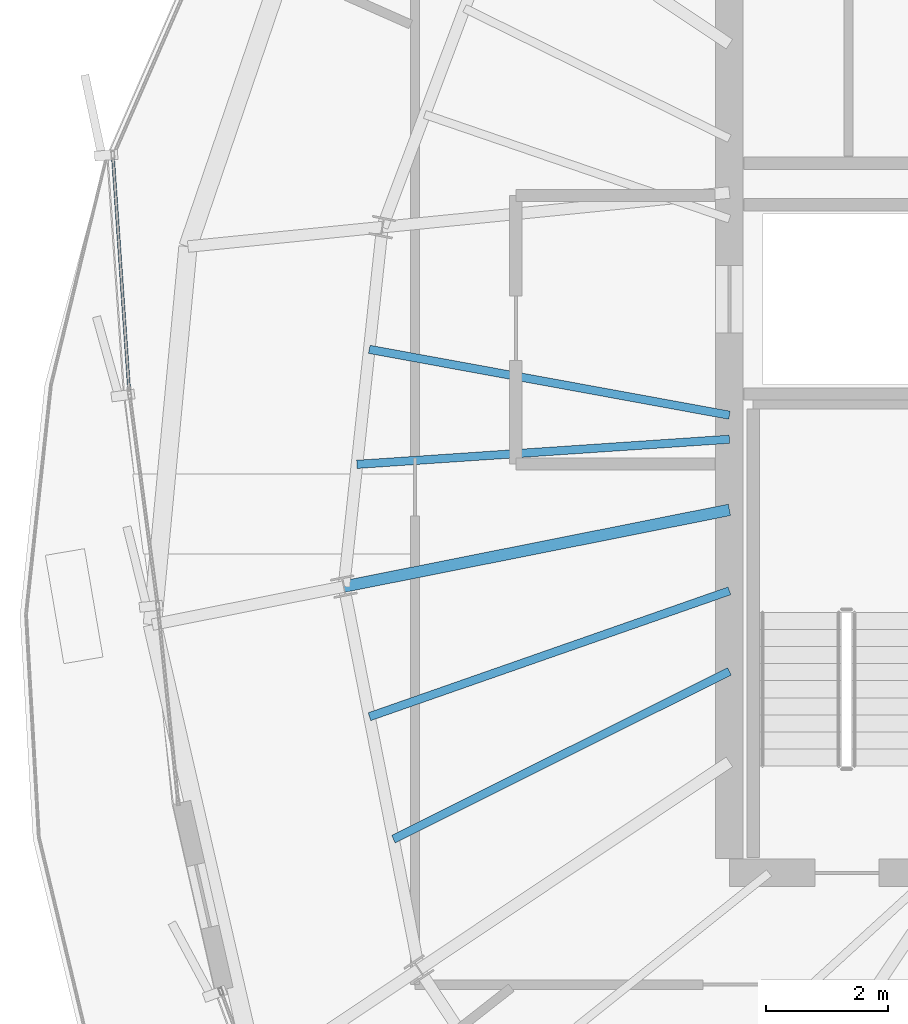
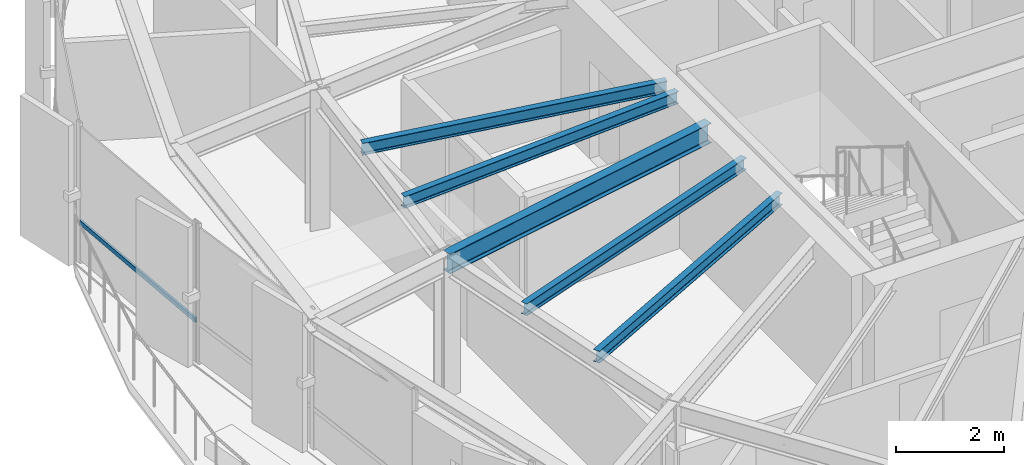
# One storey, part 10 of 32: 5 beams, 1 member, 1 element without a shape of its own.
"""IFC4 building model written with IfcOpenShell, lengths in metres."""

from ifc_helpers import new_model, si_unit, direction, frame, origin, origin_2d, place, context, subcontext, project, spatial, hollow_rectangle, i_section, extrude, source, transform, mapped, material, layer, layer_set, material_profile, profile_set, type_object, element, aggregate, save


model = new_model("IFC4")

# Units and contexts
model_context = context("Model", 3, precision=1e-05, world=origin(), true_north=direction((0.0, 1.0)))
body_context = subcontext(model_context, "Body", "Model", "MODEL_VIEW")
ifc_project = project(units=[si_unit("LENGTHUNIT", "METRE"), si_unit("AREAUNIT", "SQUARE_METRE"), si_unit("VOLUMEUNIT", "CUBIC_METRE"), si_unit("PLANEANGLEUNIT", "RADIAN"), si_unit("MASSUNIT", "GRAM", prefix="KILO"), si_unit("THERMODYNAMICTEMPERATUREUNIT", "KELVIN")], contexts=[model_context])

# Site, building, storey
site_placement = place(None, origin())
site = spatial("IfcSite", under=ifc_project, at=site_placement, CompositionType="ELEMENT")
building_placement = place(site_placement, origin())
building = spatial("IfcBuilding", under=site, at=building_placement, Name="Kethvar Cultural Tower", CompositionType="ELEMENT")
storey_placement = place(building_placement, frame((0.0, 0.0, 252.550048828125)))
storey = spatial("IfcBuildingStorey", under=building, at=storey_placement, Name="L66", CompositionType="ELEMENT", Elevation=252.550048828125)

# Beams
ifc_material_1 = material(Name="Steel S355J2", Category="steel")
ifc_material_profile_1 = material_profile(ifc_material_1, i_section(OverallWidth=0.18994140625, OverallDepth=0.449951171875, WebThickness=0.009521484375, FlangeThickness=0.0146484375, FilletRadius=0.02099609375, at=origin_2d()), Name="Steel S355J2 — IPE450")
ifc_profile_set_1 = profile_set([ifc_material_profile_1], Name="Steel S355J2 — IPE450")
beam_type_1 = type_object("IfcBeamType", Name="BM-IPE450", PredefinedType="BEAM", material=ifc_profile_set_1)
shared_shape_1 = source(origin(), body_context, "Body", "SweptSolid", [
    extrude(i_section(OverallWidth=0.18994140625, OverallDepth=0.449951171875, WebThickness=0.009521484375, FlangeThickness=0.0146484375, FilletRadius=0.02099609375, at=origin_2d()), origin(), (0.0, 0.0, 1.0), 6.440673828125),
])
beam_1_placement = place(storey_placement, frame((38.0, 26.049560546875, 2.98291015625), z_axis=(-0.980782804096, -0.195102770839, 0.0), x_axis=(0.195102770839, -0.980782804096, 0.0)))
element("IfcBeam", 1, at=beam_1_placement, inside=storey, type_object=beam_type_1, Name="L66 Primary Radial Beam RB-09", PredefinedType="BEAM", context=body_context, shape_type="MappedRepresentation", body=[
    mapped(shared_shape_1, transform((0.0, 0.0, 0.0), scale=1.0)),
])
ifc_material_profile_2 = material_profile(ifc_material_1, i_section(OverallWidth=0.135009765625, OverallDepth=0.27001953125, WebThickness=0.006591796875, FlangeThickness=0.01025390625, FilletRadius=0.014892578125, at=origin_2d()), Name="Steel S355J2 — IPE270")
ifc_profile_set_2 = profile_set([ifc_material_profile_2], Name="Steel S355J2 — IPE270")
beam_type_2 = type_object("IfcBeamType", Name="BM-J270", PredefinedType="JOIST", material=ifc_profile_set_2)
shared_shape_2 = source(origin(), body_context, "Body", "SweptSolid", [
    extrude(i_section(OverallWidth=0.135009765625, OverallDepth=0.27001953125, WebThickness=0.006591796875, FlangeThickness=0.01025390625, FilletRadius=0.014892578125, at=origin_2d()), origin(), (0.0, 0.0, 1.0), 5.99951171875),
])
beam_2_placement = place(storey_placement, frame((38.0, 27.60009765625, 3.072998046875), z_axis=(-0.983676616141, 0.179945310742, 0.0), x_axis=(-0.179945310742, -0.983676616141, 0.0)))
element("IfcBeam", 2, at=beam_2_placement, inside=storey, type_object=beam_type_2, Name="L66 Composite Floor Joist J-08A", PredefinedType="JOIST", context=body_context, shape_type="MappedRepresentation", body=[
    mapped(shared_shape_2, transform((0.0, 0.0, 0.0), scale=1.0)),
])
shared_shape_3 = source(origin(), body_context, "Body", "SweptSolid", [
    extrude(i_section(OverallWidth=0.135009765625, OverallDepth=0.27001953125, WebThickness=0.006591796875, FlangeThickness=0.01025390625, FilletRadius=0.014892578125, at=origin_2d()), origin(), (0.0, 0.0, 1.0), 6.116943359375),
])
beam_3_placement = place(storey_placement, frame((38.0, 27.206787109375, 3.072998046875), z_axis=(-0.997733289627, -0.067292516454, 0.0), x_axis=(0.067292516454, -0.997733289627, 0.0)))
element("IfcBeam", 3, at=beam_3_placement, inside=storey, type_object=beam_type_2, Name="L66 Composite Floor Joist J-08B", PredefinedType="JOIST", context=body_context, shape_type="MappedRepresentation", body=[
    mapped(shared_shape_3, transform((0.0, 0.0, 0.0), scale=1.0)),
])
shared_shape_4 = source(origin(), body_context, "Body", "SweptSolid", [
    extrude(i_section(OverallWidth=0.135009765625, OverallDepth=0.27001953125, WebThickness=0.006591796875, FlangeThickness=0.01025390625, FilletRadius=0.014892578125, at=origin_2d()), origin(), (0.0, 0.0, 1.0), 6.248779296875),
])
beam_4_placement = place(storey_placement, frame((38.0, 24.722900390625, 3.072998046875), z_axis=(-0.943960031743, -0.330059780148, 0.0), x_axis=(0.330059780148, -0.943960031743, 0.0)))
element("IfcBeam", 4, at=beam_4_placement, inside=storey, type_object=beam_type_2, Name="L66 Composite Floor Joist J-09A", PredefinedType="JOIST", context=body_context, shape_type="MappedRepresentation", body=[
    mapped(shared_shape_4, transform((0.0, 0.0, 0.0), scale=1.0)),
])
shared_shape_5 = source(origin(), body_context, "Body", "SweptSolid", [
    extrude(i_section(OverallWidth=0.135009765625, OverallDepth=0.27001953125, WebThickness=0.006591796875, FlangeThickness=0.01025390625, FilletRadius=0.014892578125, at=origin_2d()), origin(), (0.0, 0.0, 1.0), 6.154052734375),
])
beam_5_placement = place(storey_placement, frame((38.0, 23.40380859375, 3.072998046875), z_axis=(-0.89458581954, -0.446896197655, 0.0), x_axis=(0.446896197655, -0.89458581954, 0.0)))
element("IfcBeam", 5, at=beam_5_placement, inside=storey, type_object=beam_type_2, Name="L66 Composite Floor Joist J-09B", PredefinedType="JOIST", context=body_context, shape_type="MappedRepresentation", body=[
    mapped(shared_shape_5, transform((0.0, 0.0, 0.0), scale=1.0)),
])

# Curtain wall, member
ifc_material_2 = material(Name="Aluminium 6063-T6", Category="aluminium")
ifc_layer = layer(ifc_material_2, 0.179931640625, Name="Aluminium 6063-T6", Category="aluminium")
ifc_layer_set = layer_set([ifc_layer], Name="Aluminium 6063-T6 (180 mm)")
curtain_wall_type = type_object("IfcCurtainWallType", Name="CW-SYS-05-Z56", PredefinedType="NOTDEFINED", material=ifc_layer_set)
curtain_wall_placement = place(storey_placement, origin())
curtain_wall = element("IfcCurtainWall", 6, at=curtain_wall_placement, inside=storey, type_object=curtain_wall_type, Name="L66 Curtain Wall Run 02", PredefinedType="NOTDEFINED")
ifc_material_profile_3 = material_profile(ifc_material_2, hollow_rectangle(XDim=0.050048828125, YDim=0.10009765625, WallThickness=0.00390625, at=origin_2d()), Name="Aluminium 6063-T6 — RHS100x50x4")
ifc_profile_set_3 = profile_set([ifc_material_profile_3], Name="Aluminium 6063-T6 — RHS100x50x4")
member_type = type_object("IfcMemberType", Name="CW-SYS-05-Z56-TRN", PredefinedType="USERDEFINED", material=ifc_profile_set_3)
shared_shape_6 = source(origin(), body_context, "Body", "SweptSolid", [
    extrude(hollow_rectangle(XDim=0.050048828125, YDim=0.10009765625, WallThickness=0.00390625, at=origin_2d()), origin(), (0.0, 0.0, 1.0), 3.83056640625),
])
member_placement = place(storey_placement, frame((27.8984375, 31.827392578125, 0.949951171875), z_axis=(0.069281122577, -0.997597176246, 0.0), x_axis=(0.997597176246, 0.069281122577, 0.0)))
member = element("IfcMember", 7, at=member_placement, type_object=member_type, Name="CW-L66-R02 Transom 6", ObjectType="TRANSOM", PredefinedType="USERDEFINED", context=body_context, shape_type="MappedRepresentation", body=[
    mapped(shared_shape_6, transform((0.0, 0.0, 0.0), scale=1.0)),
])
aggregate(curtain_wall, [member])

save(model, "model.ifc")
